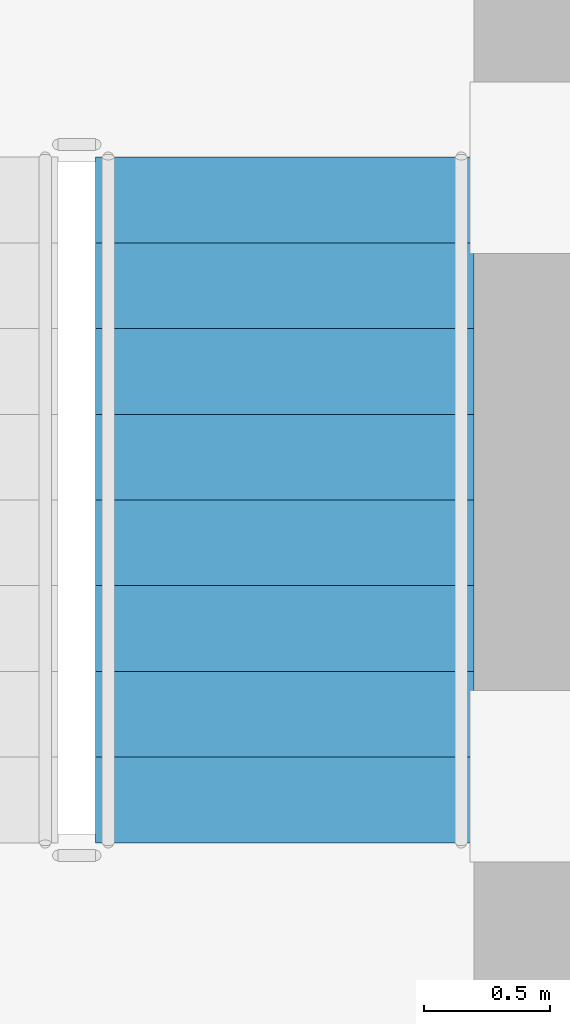
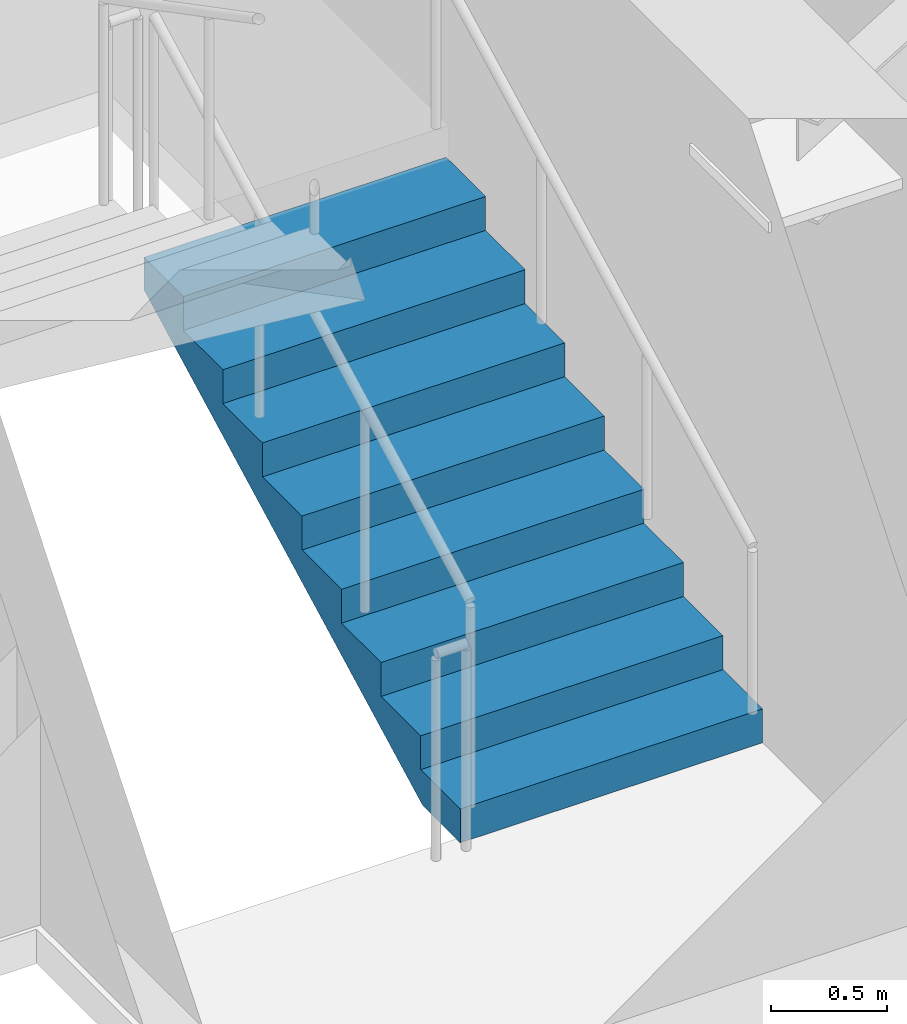
# One storey, part 11 of 14: 1 stair flight, 1 element without a shape of its own.
"""IFC4 building model written with IfcOpenShell, lengths in metres."""

from ifc_helpers import new_model, si_unit, direction, frame, origin, place, context, subcontext, project, spatial, polyline, outline, extrude, material, type_object, element, aggregate, save


model = new_model("IFC4")

# Units and contexts
model_context = context("Model", 3, precision=1e-05, world=origin(), true_north=direction((0.0, 1.0)))
body_context = subcontext(model_context, "Body", "Model", "MODEL_VIEW")
ifc_project = project(units=[si_unit("LENGTHUNIT", "METRE"), si_unit("AREAUNIT", "SQUARE_METRE"), si_unit("VOLUMEUNIT", "CUBIC_METRE"), si_unit("PLANEANGLEUNIT", "RADIAN"), si_unit("MASSUNIT", "GRAM", prefix="KILO")], contexts=[model_context])

# Site, building, storey
site_placement = place(None, origin())
site = spatial("IfcSite", under=ifc_project, at=site_placement, CompositionType="ELEMENT")
building_placement = place(site_placement, origin())
building = spatial("IfcBuilding", under=site, at=building_placement, Name="Keldmark Tower", CompositionType="ELEMENT")
storey_placement = place(building_placement, frame((0.0, 0.0, 175.800048828125)))
storey = spatial("IfcBuildingStorey", under=building, at=storey_placement, Name="L48", CompositionType="ELEMENT", Elevation=175.800048828125)

# Stair, stair flight
ifc_material_1 = material(Name="Concrete C40/50", Category="concrete")
stair_type = type_object("IfcStairType", Name="Precast Concrete Core Exit Stair", PredefinedType="HALF_TURN_STAIR", material=ifc_material_1)
stair_placement = place(storey_placement, origin())
stair = element("IfcStair", 1, at=stair_placement, inside=storey, type_object=stair_type, Name="L48 Exit Stair ST2", PredefinedType="HALF_TURN_STAIR")
ifc_material_2 = material(Name="Concrete C40/50", Category="concrete")
stair_flight_type = type_object("IfcStairFlightType", Name="Precast Concrete Stair Flight 1500 mm", PredefinedType="STRAIGHT", material=ifc_material_2)
stair_flight_placement = place(storey_placement, frame((12.39990234375, 3.35009765625, 0.0), z_axis=(0.0, 0.0, 1.0), x_axis=(0.0, 1.0, 0.0)))
stair_flight = element("IfcStairFlight", 2, at=stair_flight_placement, type_object=stair_flight_type, Name="ST2 flight 1", NumberOfRisers=9, NumberOfTreads=8, PredefinedType="STRAIGHT", RiserHeight=0.177777778, TreadLength=0.34, context=body_context, shape_type="SweptSolid", body=[
    extrude(outline(polyline([(0.0, 0.0), (0.0, 0.177734375), (0.340087890625, 0.177734375), (0.340087890625, 0.35546875), (0.679931640625, 0.35546875), (0.679931640625, 0.533447265625), (1.02001953125, 0.533447265625), (1.02001953125, 0.711181640625), (1.360107421875, 0.711181640625), (1.360107421875, 0.888916015625), (1.699951171875, 0.888916015625), (1.699951171875, 1.066650390625), (2.0400390625, 1.066650390625), (2.0400390625, 1.244384765625), (2.3798828125, 1.244384765625), (2.3798828125, 1.422119140625), (2.719970703125, 1.422119140625), (2.719970703125, 1.60009765625), (2.719970703125, 1.253173828125), (0.323486328125, 0.0), (0.0, 0.0)])), frame((0.0, 0.75, 0.0), z_axis=(0.0, -1.0, 0.0), x_axis=(1.0, 0.0, 0.0)), (0.0, 0.0, 1.0), 1.5),
])
aggregate(stair, [stair_flight])

save(model, "model.ifc")
